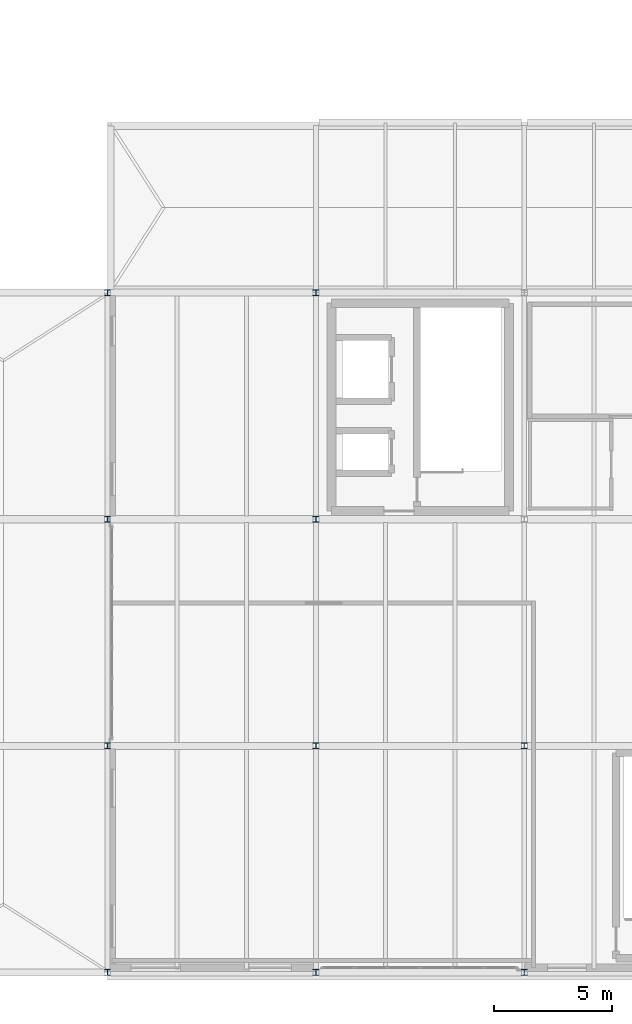
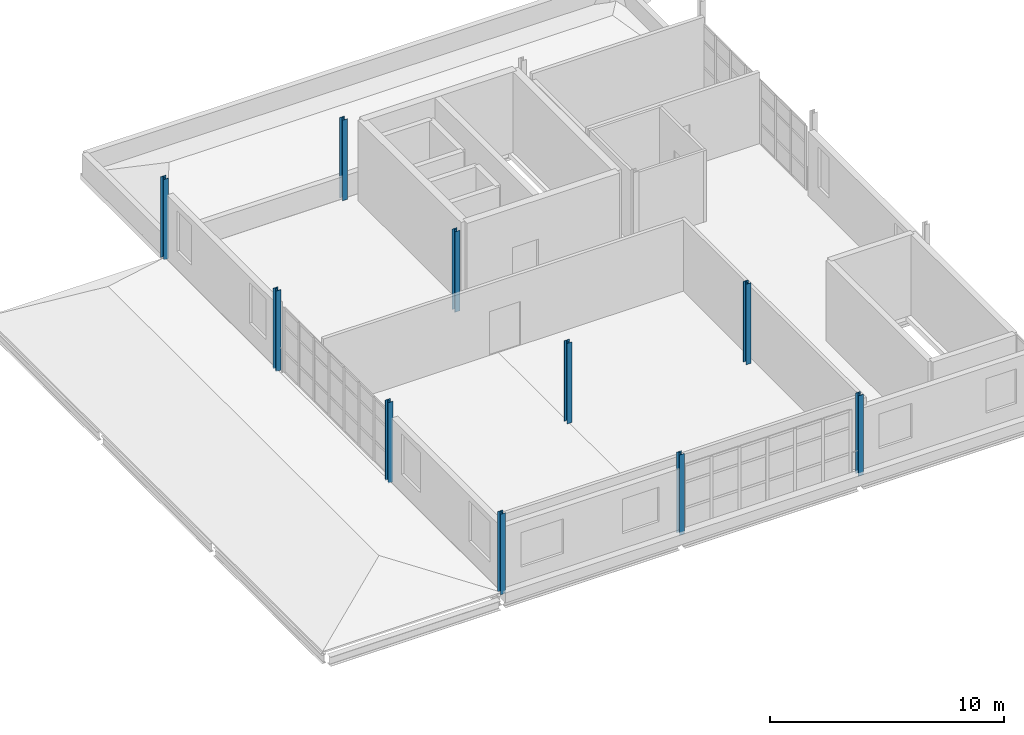
# One storey, part 3 of 28: 10 columns.
"""IFC4 building model written with IfcOpenShell, lengths in metres."""

from ifc_helpers import new_model, si_unit, direction, frame, origin, origin_2d, place, context, subcontext, project, spatial, i_section, extrude, material, material_profile, profile_set, type_object, element, save


model = new_model("IFC4")

# Units and contexts
model_context = context("Model", 3, precision=1e-05, world=origin(), true_north=direction((0.0, 1.0)))
body_context = subcontext(model_context, "Body", "Model", "MODEL_VIEW")
ifc_project = project(units=[si_unit("LENGTHUNIT", "METRE"), si_unit("AREAUNIT", "SQUARE_METRE"), si_unit("VOLUMEUNIT", "CUBIC_METRE"), si_unit("PLANEANGLEUNIT", "RADIAN"), si_unit("MASSUNIT", "GRAM", prefix="KILO")], contexts=[model_context])

# Site, building, storey
site_placement = place(None, origin())
site = spatial("IfcSite", under=ifc_project, at=site_placement, CompositionType="ELEMENT")
building_placement = place(site_placement, origin())
building = spatial("IfcBuilding", under=site, at=building_placement, Name="Yeouljin Market Hall", CompositionType="ELEMENT")
storey_placement = place(building_placement, frame((0.0, 0.0, 15.0)))
storey = spatial("IfcBuildingStorey", under=building, at=storey_placement, Name="L03", CompositionType="ELEMENT", Elevation=15.0)

# Columns
ifc_material = material(Name="Steel SM355", Category="steel")
ifc_material_profile = material_profile(ifc_material, i_section(OverallWidth=0.25, OverallDepth=0.25, WebThickness=0.009033203125, FlangeThickness=0.013916015625, FilletRadius=0.01611328125, at=origin_2d()), Name="H-250x250x9x14")
ifc_profile_set = profile_set([ifc_material_profile], Name="Steel SM355")
column_type = type_object("IfcColumnType", Name="Col_H-250x250x9x14", PredefinedType="COLUMN", material=ifc_profile_set)
for number, where, z_axis, x_axis, name in (
    (1, (149.909912109375, 0.0, 0.0), (0.0, 0.0, 1.0), (1.0, 0.0, 0.0), "Column G-18-00 (L03)"),
    (2, (149.909912109375, 9.60009765625, 0.0), (0.0, 0.0, 1.0), (1.0, 0.0, 0.0), "Column G-18-01 (L03)"),
    (3, (149.909912109375, 19.199951171875, 0.0), (0.0, 0.0, 1.0), (1.0, 0.0, 0.0), "Column G-18-02 (L03)"),
    (4, (149.909912109375, 28.800048828125, 0.0), (0.0, 0.0, 1.0), (1.0, 0.0, 0.0), "Column G-18-03 (L03)"),
    (5, (158.739990234375, 0.0, 0.0), (0.0, 0.0, 1.0), (1.0, 0.0, 0.0), "Column G-19-00 (L03)"),
    (6, (158.739990234375, 9.60009765625, 0.0), (0.0, 0.0, 1.0), (1.0, 0.0, 0.0), "Column G-19-01 (L03)"),
    (7, (158.739990234375, 19.199951171875, 0.0), (0.0, 0.0, 1.0), (1.0, 0.0, 0.0), "Column G-19-02 (L03)"),
    (8, (158.739990234375, 28.800048828125, 0.0), (0.0, 0.0, 1.0), (1.0, 0.0, 0.0), "Column G-19-03 (L03)"),
    (9, (167.570068359375, 0.0, 0.0), (0.0, 0.0, 1.0), (1.0, 0.0, 0.0), "Column G-20-00 (L03)"),
    (10, (167.570068359375, 9.60009765625, 0.0), (0.0, 0.0, 1.0), (1.0, 0.0, 0.0), "Column G-20-01 (L03)"),
):
    element("IfcColumn", number, at=place(storey_placement, frame(where, z_axis=z_axis, x_axis=x_axis)), inside=storey, type_object=column_type, Name=name, PredefinedType="COLUMN", context=body_context, shape_type="SweptSolid", body=[
        extrude(i_section(OverallWidth=0.25, OverallDepth=0.25, WebThickness=0.009033203125, FlangeThickness=0.013916015625, FilletRadius=0.01611328125, at=origin_2d()), origin(), (0.0, 0.0, 1.0), 4.199951171875),
    ])

save(model, "model.ifc")
